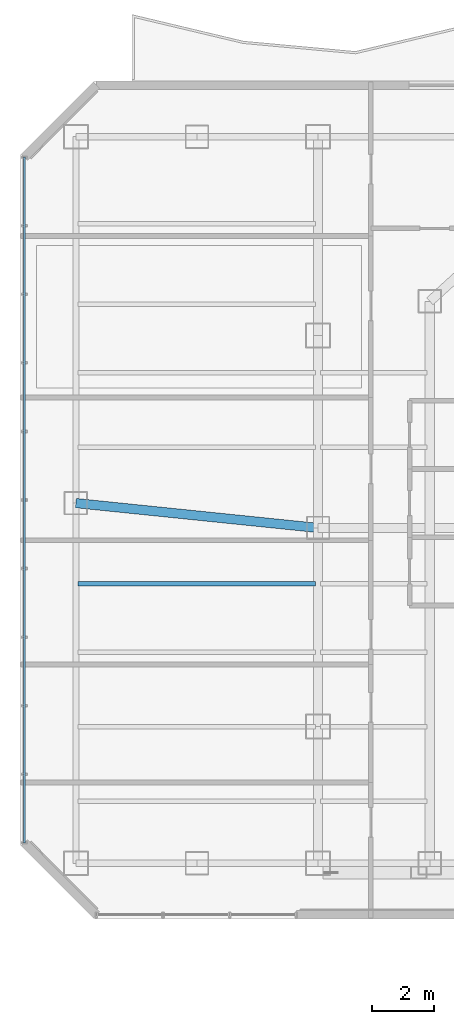
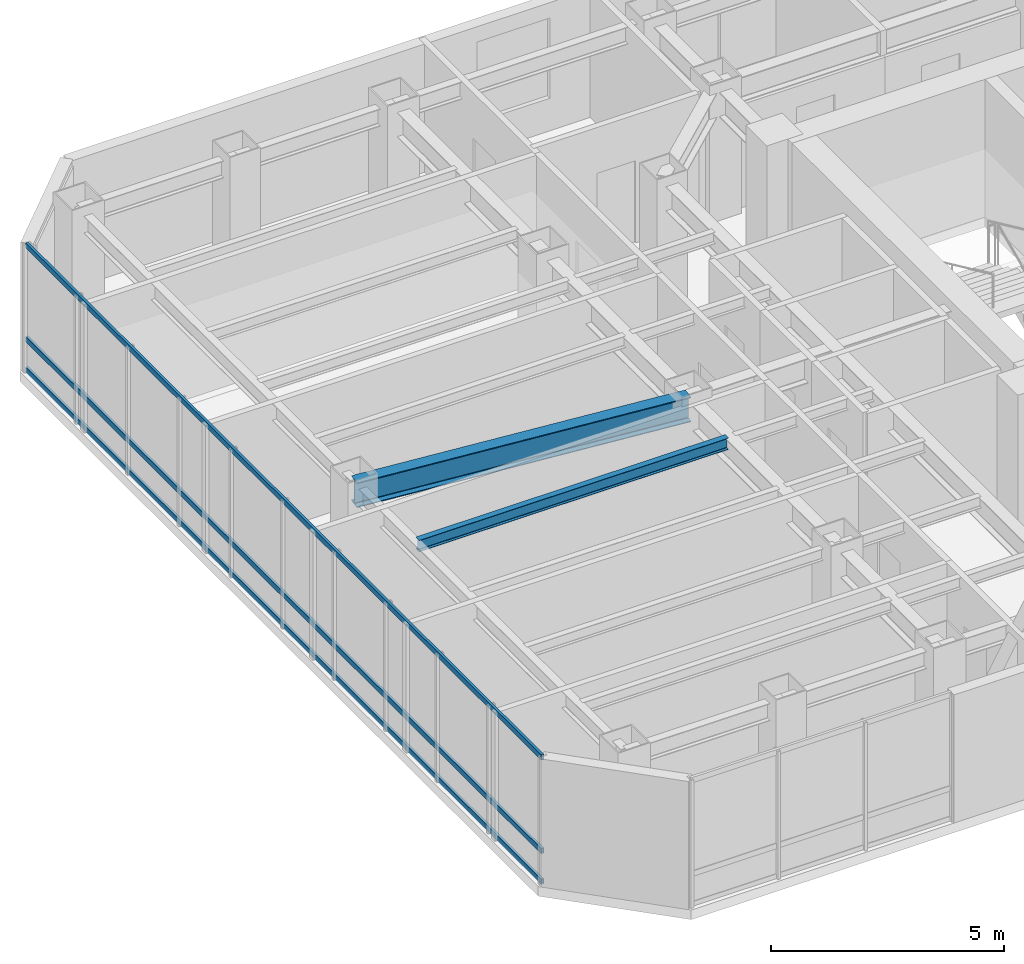
# One storey, part 7 of 27: 3 members, 2 beams, 1 element without a shape of its own.
"""IFC4 building model written with IfcOpenShell, lengths in metres."""

from ifc_helpers import new_model, si_unit, direction, frame, origin, origin_2d, place, context, subcontext, project, spatial, hollow_rectangle, i_section, extrude, material, layer, layer_set, material_profile, profile_set, type_object, element, aggregate, save


model = new_model("IFC4")

# Units and contexts
model_context = context("Model", 3, precision=1e-05, world=origin(), true_north=direction((0.0, 1.0)))
body_context = subcontext(model_context, "Body", "Model", "MODEL_VIEW")
ifc_project = project(units=[si_unit("LENGTHUNIT", "METRE"), si_unit("AREAUNIT", "SQUARE_METRE"), si_unit("VOLUMEUNIT", "CUBIC_METRE"), si_unit("PLANEANGLEUNIT", "RADIAN"), si_unit("MASSUNIT", "GRAM", prefix="KILO")], contexts=[model_context])

# Site, building, storey
site_placement = place(None, origin())
site = spatial("IfcSite", under=ifc_project, at=site_placement, CompositionType="ELEMENT")
building_placement = place(site_placement, origin())
building = spatial("IfcBuilding", under=site, at=building_placement, Name="Hatsunagi Terrace Concourse", CompositionType="ELEMENT")
storey_placement = place(building_placement, frame((0.0, 0.0, 167.25)))
storey = spatial("IfcBuildingStorey", under=building, at=storey_placement, Name="L44", CompositionType="ELEMENT", Elevation=167.25)

# Curtain wall, members
ifc_material_1 = material(Name="Anodised Aluminium Alloy 6063-T5", Category="aluminium")
ifc_layer = layer(ifc_material_1, 0.199951171875)
ifc_layer_set = layer_set([ifc_layer], Name="OfficeZone1_CW03")
curtain_wall_type = type_object("IfcCurtainWallType", Name="OfficeZone1_CW03", PredefinedType="NOTDEFINED", material=ifc_layer_set)
curtain_wall_placement = place(storey_placement, origin())
curtain_wall = element("IfcCurtainWall", 1, at=curtain_wall_placement, inside=storey, type_object=curtain_wall_type, Name="Unitised Curtain Wall CW-03 CW-L44-09", PredefinedType="NOTDEFINED")
ifc_material_2 = material(Name="Anodised Aluminium Alloy 6063-T5", Category="aluminium")
ifc_material_profile_1 = material_profile(ifc_material_2, hollow_rectangle(XDim=0.06494140625, YDim=0.139892578125, WallThickness=0.00390625, at=origin_2d()), Name="ALU-TRN-140x65x4")
ifc_profile_set_1 = profile_set([ifc_material_profile_1], Name="Anodised Aluminium Alloy 6063-T5")
member_type = type_object("IfcMemberType", Name="CurtainWallTransom_140x65", PredefinedType="USERDEFINED", material=ifc_profile_set_1)
member_1_placement = place(storey_placement, frame((9.739990234375, 25.85791015625, 0.050048828125), z_axis=(0.0, 1.0, 0.0), x_axis=(-1.0, 0.0, 0.0)))
member_1 = element("IfcMember", 2, at=member_1_placement, type_object=member_type, Name="Curtain Wall Transom TRN-02", ObjectType="TRANSOM", PredefinedType="USERDEFINED", context=body_context, shape_type="SweptSolid", body=[
    extrude(hollow_rectangle(XDim=0.06494140625, YDim=0.139892578125, WallThickness=0.00390625, at=origin_2d()), origin(), (0.0, 0.0, 1.0), 22.083984375),
])
member_2_placement = place(storey_placement, frame((9.739990234375, 25.85791015625, 0.85009765625), z_axis=(0.0, 1.0, 0.0), x_axis=(-1.0, 0.0, 0.0)))
member_2 = element("IfcMember", 3, at=member_2_placement, type_object=member_type, Name="Curtain Wall Transom TRN-02", ObjectType="TRANSOM", PredefinedType="USERDEFINED", context=body_context, shape_type="SweptSolid", body=[
    extrude(hollow_rectangle(XDim=0.06494140625, YDim=0.139892578125, WallThickness=0.00390625, at=origin_2d()), origin(), (0.0, 0.0, 1.0), 22.083984375),
])
member_3_placement = place(storey_placement, frame((9.739990234375, 25.85791015625, 3.300048828125), z_axis=(0.0, 1.0, 0.0), x_axis=(-1.0, 0.0, 0.0)))
member_3 = element("IfcMember", 4, at=member_3_placement, type_object=member_type, Name="Curtain Wall Transom TRN-02", ObjectType="TRANSOM", PredefinedType="USERDEFINED", context=body_context, shape_type="SweptSolid", body=[
    extrude(hollow_rectangle(XDim=0.06494140625, YDim=0.139892578125, WallThickness=0.00390625, at=origin_2d()), origin(), (0.0, 0.0, 1.0), 22.083984375),
])
aggregate(curtain_wall, [member_1, member_2, member_3])

# Beams
ifc_material_3 = material(Name="Steel SN490B", Category="steel")
ifc_material_profile_2 = material_profile(ifc_material_3, i_section(OverallWidth=0.14990234375, OverallDepth=0.300048828125, WebThickness=0.006591796875, FlangeThickness=0.009033203125, FilletRadius=0.010986328125, at=origin_2d()), Name="H-300x150x6.5x9")
ifc_profile_set_2 = profile_set([ifc_material_profile_2], Name="Steel SN490B")
beam_type_1 = type_object("IfcBeamType", Name="OfficeJoist_H_300x150", PredefinedType="JOIST", material=ifc_profile_set_2)
beam_1_placement = place(storey_placement, frame((11.465087890625, 34.199951171875, 3.199951171875), z_axis=(1.0, 0.0, 0.0), x_axis=(0.0, 1.0, 0.0)))
element("IfcBeam", 5, at=beam_1_placement, inside=storey, type_object=beam_type_1, Name="Beam J-03 J-L44-W-11-342", PredefinedType="JOIST", context=body_context, shape_type="SweptSolid", body=[
    extrude(i_section(OverallWidth=0.14990234375, OverallDepth=0.300048828125, WebThickness=0.006591796875, FlangeThickness=0.009033203125, FilletRadius=0.010986328125, at=origin_2d()), origin(), (0.0, 0.0, 1.0), 7.64990234375),
])
ifc_material_4 = material(Name="Steel SN490B", Category="steel")
ifc_material_profile_3 = material_profile(ifc_material_4, i_section(OverallWidth=0.300048828125, OverallDepth=0.64990234375, WebThickness=0.012939453125, FlangeThickness=0.02197265625, FilletRadius=0.01806640625, at=origin_2d()), Name="H-650x300x13x22")
ifc_profile_set_3 = profile_set([ifc_material_profile_3], Name="Steel SN490B")
beam_type_2 = type_object("IfcBeamType", Name="OfficeLowGirder_H_650x300", PredefinedType="BEAM", material=ifc_profile_set_3)
beam_2_placement = place(storey_placement, frame((11.39990234375, 36.800048828125, 3.02490234375), z_axis=(0.994780871372, -0.102034395927, 0.0), x_axis=(0.102034395927, 0.994780871372, 0.0)))
element("IfcBeam", 6, at=beam_2_placement, inside=storey, type_object=beam_type_2, Name="Beam G-05 BM-L44-EW-2", PredefinedType="BEAM", context=body_context, shape_type="SweptSolid", body=[
    extrude(i_section(OverallWidth=0.300048828125, OverallDepth=0.64990234375, WebThickness=0.012939453125, FlangeThickness=0.02197265625, FilletRadius=0.01806640625, at=origin_2d()), origin(), (0.0, 0.0, 1.0), 7.841064453125),
])

save(model, "model.ifc")
